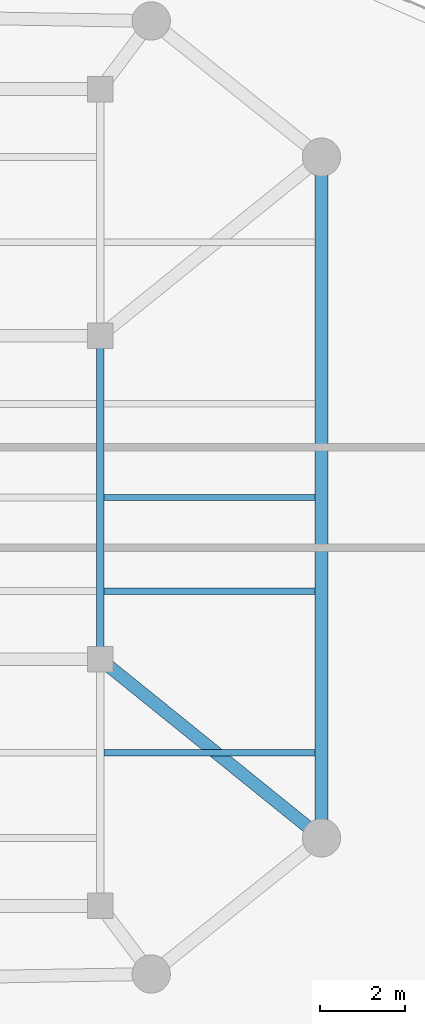
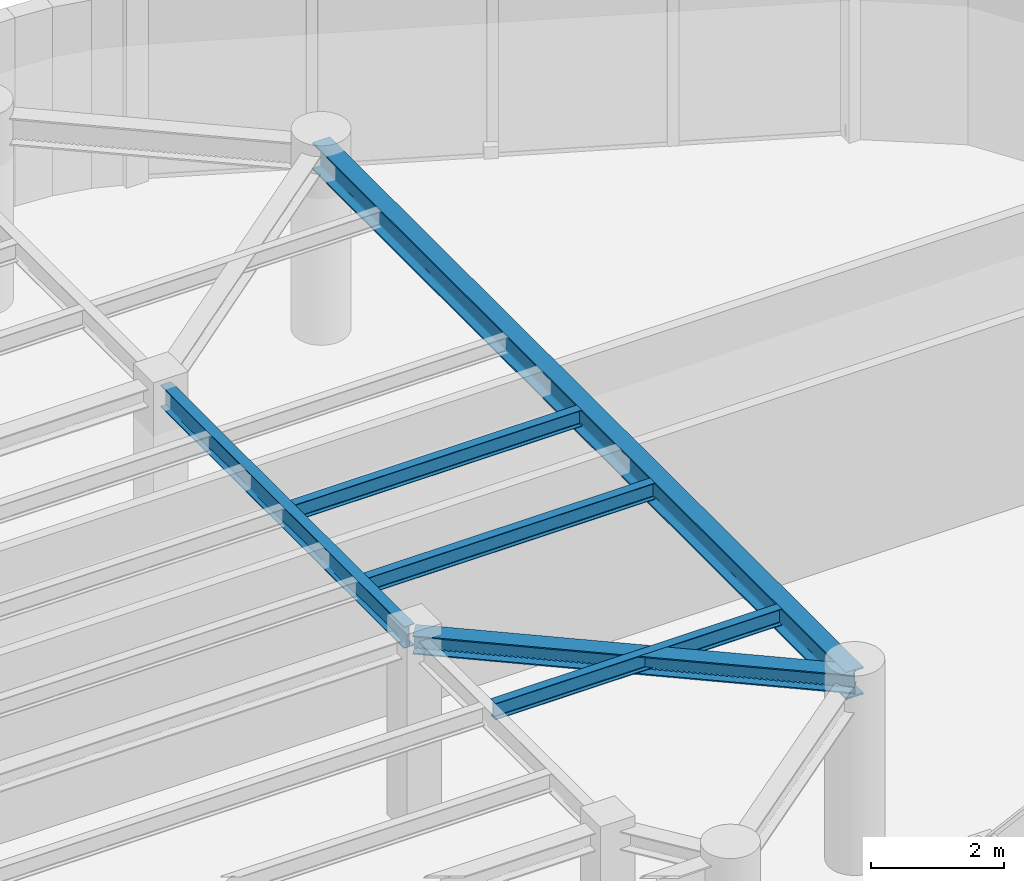
# One storey, part 3 of 12: 6 beams.
"""IFC4 building model written with IfcOpenShell, lengths in metres."""

from ifc_helpers import new_model, si_unit, direction, frame, origin, origin_2d, place, context, subcontext, project, spatial, i_section, extrude, material, material_profile, profile_set, type_object, element, save


model = new_model("IFC4")

# Units and contexts
model_context = context("Model", 3, precision=1e-05, world=origin(), true_north=direction((0.0, 1.0)))
body_context = subcontext(model_context, "Body", "Model", "MODEL_VIEW")
ifc_project = project(units=[si_unit("LENGTHUNIT", "METRE"), si_unit("AREAUNIT", "SQUARE_METRE"), si_unit("VOLUMEUNIT", "CUBIC_METRE"), si_unit("PLANEANGLEUNIT", "RADIAN"), si_unit("MASSUNIT", "GRAM", prefix="KILO")], contexts=[model_context])

# Site, building, storey
site_placement = place(None, origin())
site = spatial("IfcSite", under=ifc_project, at=site_placement, CompositionType="ELEMENT")
building_placement = place(site_placement, origin())
building = spatial("IfcBuilding", under=site, at=building_placement, Name="An Khanh Terracotta Commons", CompositionType="ELEMENT")
storey_placement = place(building_placement, frame((0.0, 0.0, 273.39990234375)))
storey = spatial("IfcBuildingStorey", under=building, at=storey_placement, Name="L71", CompositionType="ELEMENT", Elevation=273.39990234375)

# Beams
ifc_material = material(Name="Steel S355J2", Category="steel")
ifc_material_profile_1 = material_profile(ifc_material, i_section(OverallWidth=0.300048828125, OverallDepth=0.340087890625, WebThickness=0.011962890625, FlangeThickness=0.021484375, FilletRadius=0.027099609375, at=origin_2d()), Name="HEB340")
ifc_profile_set_1 = profile_set([ifc_material_profile_1], Name="Steel S355J2")
beam_type_1 = type_object("IfcBeamType", Name="BM-HEB340", PredefinedType="BEAM", material=ifc_profile_set_1)
beam_1_placement = place(storey_placement, frame((63.39990234375, 16.0, 3.280029296875), z_axis=(-0.777941866883, 0.628336256913, 0.0), x_axis=(-0.628336256913, -0.777941866883, 0.0)))
element("IfcBeam", 1, at=beam_1_placement, inside=storey, type_object=beam_type_1, Name="L71 Mega-Column Tie Girder 3", PredefinedType="BEAM", context=body_context, shape_type="SweptSolid", body=[
    extrude(i_section(OverallWidth=0.300048828125, OverallDepth=0.340087890625, WebThickness=0.011962890625, FlangeThickness=0.021484375, FilletRadius=0.027099609375, at=origin_2d()), origin(), (0.0, 0.0, 1.0), 6.684326171875),
])
ifc_material_profile_2 = material_profile(ifc_material, i_section(OverallWidth=0.300048828125, OverallDepth=0.5, WebThickness=0.014404296875, FlangeThickness=0.028076171875, FilletRadius=0.027099609375, at=origin_2d()), Name="HEB500")
ifc_profile_set_2 = profile_set([ifc_material_profile_2], Name="Steel S355J2")
beam_type_2 = type_object("IfcBeamType", Name="BM-HEB500", PredefinedType="BEAM", material=ifc_profile_set_2)
beam_2_placement = place(storey_placement, frame((63.39990234375, 16.0, 3.2001953125), z_axis=(0.0, 1.0, 0.0), x_axis=(-1.0, 0.0, 0.0)))
element("IfcBeam", 2, at=beam_2_placement, inside=storey, type_object=beam_type_2, Name="L71 Perimeter Ring Spandrel 3", PredefinedType="BEAM", context=body_context, shape_type="SweptSolid", body=[
    extrude(i_section(OverallWidth=0.300048828125, OverallDepth=0.5, WebThickness=0.014404296875, FlangeThickness=0.028076171875, FilletRadius=0.027099609375, at=origin_2d()), origin(), (0.0, 0.0, 1.0), 16.0),
])
ifc_material_profile_3 = material_profile(ifc_material, i_section(OverallWidth=0.14990234375, OverallDepth=0.300048828125, WebThickness=0.007080078125, FlangeThickness=0.0107421875, FilletRadius=0.014892578125, at=origin_2d()), Name="IPE300")
ifc_profile_set_3 = profile_set([ifc_material_profile_3], Name="Steel S355J2")
beam_type_3 = type_object("IfcBeamType", Name="BM-IPE300", PredefinedType="JOIST", material=ifc_profile_set_3)
for number, where, z_axis, x_axis, name in (
    (3, (58.2900390625, 18.0, 3.300048828125), (1.0, 0.0, 0.0), (0.0, 1.0, 0.0), "L71 Riverfront Composite Joist 2"),
    (4, (58.2900390625, 21.800048828125, 3.300048828125), (1.0, 0.0, 0.0), (0.0, 1.0, 0.0), "L71 Riverfront Composite Joist 3"),
    (5, (58.2900390625, 24.0, 3.300048828125), (1.0, 0.0, 0.0), (0.0, 1.0, 0.0), "L71 Riverfront Composite Joist 4"),
):
    element("IfcBeam", number, at=place(storey_placement, frame(where, z_axis=z_axis, x_axis=x_axis)), inside=storey, type_object=beam_type_3, Name=name, PredefinedType="JOIST", context=body_context, shape_type="SweptSolid", body=[
        extrude(i_section(OverallWidth=0.14990234375, OverallDepth=0.300048828125, WebThickness=0.007080078125, FlangeThickness=0.0107421875, FilletRadius=0.014892578125, at=origin_2d()), origin(), (0.0, 0.0, 1.0), 4.9599609375),
    ])
ifc_material_profile_4 = material_profile(ifc_material, i_section(OverallWidth=0.179931640625, OverallDepth=0.39990234375, WebThickness=0.008544921875, FlangeThickness=0.013427734375, FilletRadius=0.02099609375, at=origin_2d()), Name="IPE400")
ifc_profile_set_4 = profile_set([ifc_material_profile_4], Name="Steel S355J2")
beam_type_4 = type_object("IfcBeamType", Name="BM-IPE400", PredefinedType="JOIST", material=ifc_profile_set_4)
beam_3_placement = place(storey_placement, frame((58.199951171875, 20.35009765625, 3.25), z_axis=(0.0, 1.0, 0.0), x_axis=(-1.0, 0.0, 0.0)))
element("IfcBeam", 6, at=beam_3_placement, inside=storey, type_object=beam_type_4, Name="L71 East Spine Girder 2", PredefinedType="JOIST", context=body_context, shape_type="SweptSolid", body=[
    extrude(i_section(OverallWidth=0.179931640625, OverallDepth=0.39990234375, WebThickness=0.008544921875, FlangeThickness=0.013427734375, FilletRadius=0.02099609375, at=origin_2d()), origin(), (0.0, 0.0, 1.0), 7.2998046875),
])

save(model, "model.ifc")
